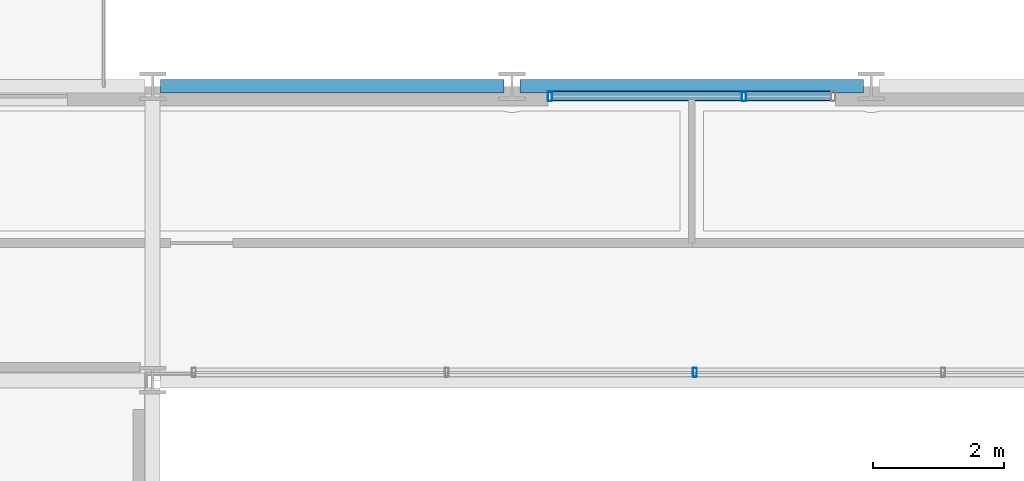
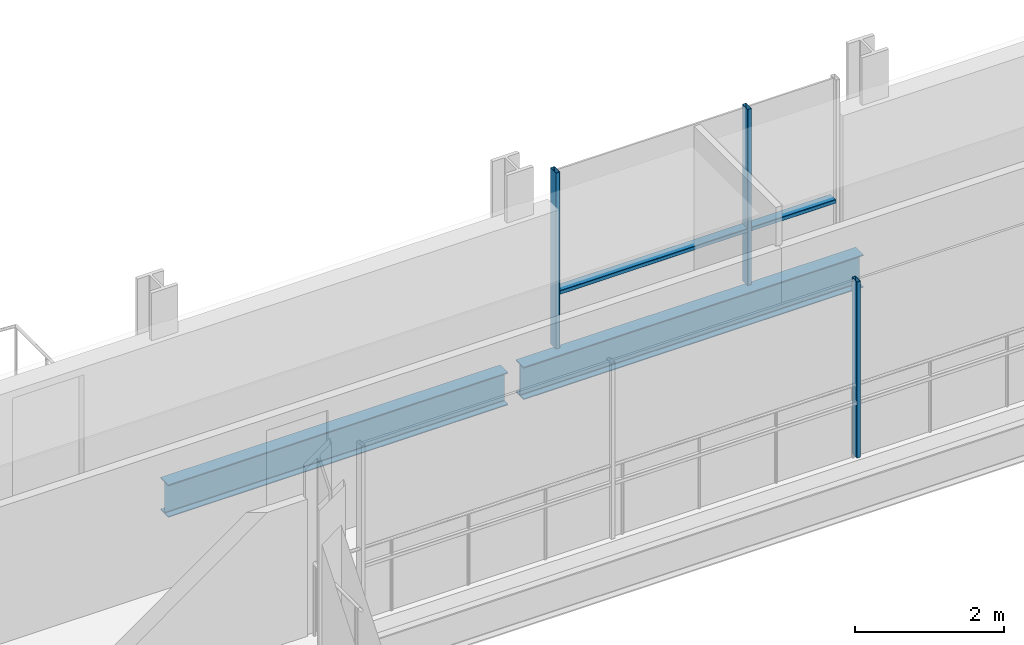
# One storey, part 11 of 39: 5 members, 2 beams, 2 elements without a shape of their own.
"""IFC4 building model written with IfcOpenShell, lengths in metres."""

from ifc_helpers import new_model, si_unit, direction, frame, origin, origin_2d, place, context, subcontext, project, spatial, hollow_rectangle, i_section, extrude, material, layer, layer_set, material_profile, profile_set, type_object, element, aggregate, save


model = new_model("IFC4")

# Units and contexts
model_context = context("Model", 3, precision=1e-05, world=origin(), true_north=direction((0.0, 1.0)))
body_context = subcontext(model_context, "Body", "Model", "MODEL_VIEW")
ifc_project = project(units=[si_unit("LENGTHUNIT", "METRE"), si_unit("AREAUNIT", "SQUARE_METRE"), si_unit("VOLUMEUNIT", "CUBIC_METRE"), si_unit("PLANEANGLEUNIT", "RADIAN"), si_unit("MASSUNIT", "GRAM", prefix="KILO")], contexts=[model_context])

# Site, building, storey
site_placement = place(None, origin())
site = spatial("IfcSite", under=ifc_project, at=site_placement, CompositionType="ELEMENT")
building_placement = place(site_placement, origin())
building = spatial("IfcBuilding", under=site, at=building_placement, Name="Brevholm Reach", CompositionType="ELEMENT")
storey_placement = place(building_placement, frame((0.0, 0.0, 103.5)))
storey = spatial("IfcBuildingStorey", under=building, at=storey_placement, Name="L30", CompositionType="ELEMENT", Elevation=103.5)

# Beams
ifc_material_1 = material(Name="Structural Steel S355J2", Category="steel")
ifc_material_profile_1 = material_profile(ifc_material_1, i_section(OverallWidth=0.209228515625, OverallDepth=0.533203125, WebThickness=0.010009765625, FlangeThickness=0.015625, FilletRadius=0.0126953125, at=origin_2d()), Name="UKB 533x210x92")
ifc_profile_set_1 = profile_set([ifc_material_profile_1], Name="Structural Steel S355J2")
beam_type = type_object("IfcBeamType", Name="BM-SP533", PredefinedType="SPANDREL", material=ifc_profile_set_1)
for number, where, z_axis, x_axis, name in (
    (1, (21.8701171875, 31.0, -0.486572265625), (1.0, 0.0, 0.0), (0.0, 1.0, 0.0), "L30 SP-02 Framing Beam"),
    (2, (27.3701171875, 31.0, -0.486572265625), (1.0, 0.0, 0.0), (0.0, 1.0, 0.0), "L30 SP-02 Framing Beam"),
):
    element("IfcBeam", number, at=place(storey_placement, frame(where, z_axis=z_axis, x_axis=x_axis)), inside=storey, type_object=beam_type, Name=name, PredefinedType="SPANDREL", context=body_context, shape_type="SweptSolid", body=[
        extrude(i_section(OverallWidth=0.209228515625, OverallDepth=0.533203125, WebThickness=0.010009765625, FlangeThickness=0.015625, FilletRadius=0.0126953125, at=origin_2d()), origin(), (0.0, 0.0, 1.0), 5.259765625),
    ])

# Curtain wall, member
ifc_material_2 = material(Name="Dark Anodised Aluminium 6063-T6 and Solar-Control Glass", Category="aluminium")
ifc_layer_1 = layer(ifc_material_2, 0.139892578125)
ifc_layer_set_1 = layer_set([ifc_layer_1], Name="Dark Anodised Aluminium 6063-T6 and Solar-Control Glass")
curtain_wall_type_1 = type_object("IfcCurtainWallType", Name="CW-02", PredefinedType="NOTDEFINED", material=ifc_layer_set_1)
curtain_wall_1_placement = place(storey_placement, origin())
curtain_wall_1 = element("IfcCurtainWall", 3, at=curtain_wall_1_placement, inside=storey, type_object=curtain_wall_type_1, Name="L30 Curtain Wall CW-02", PredefinedType="NOTDEFINED")
ifc_material_3 = material(Name="Dark Anodised Aluminium 6063-T6", Category="aluminium")
ifc_material_profile_2 = material_profile(ifc_material_3, hollow_rectangle(XDim=0.06005859375, YDim=0.139892578125, WallThickness=0.0048828125, InnerFilletRadius=0.0048828125, OuterFilletRadius=0.010009765625, at=origin_2d()), Name="RHS 140x60x5")
ifc_profile_set_2 = profile_set([ifc_material_profile_2], Name="Dark Anodised Aluminium 6063-T6")
member_type_1 = type_object("IfcMemberType", Name="CWM-140", PredefinedType="MULLION", material=ifc_profile_set_2)
member_1_placement = place(storey_placement, frame((30.050048828125, 26.6201171875, 0.0), z_axis=(0.0, 0.0, 1.0), x_axis=(-1.0, 0.0, 0.0)))
member_1 = element("IfcMember", 4, at=member_1_placement, type_object=member_type_1, Name="CM-140 Mullion 3", PredefinedType="MULLION", context=body_context, shape_type="SweptSolid", body=[
    extrude(hollow_rectangle(XDim=0.06005859375, YDim=0.139892578125, WallThickness=0.0048828125, InnerFilletRadius=0.0048828125, OuterFilletRadius=0.010009765625, at=origin_2d()), origin(), (0.0, 0.0, 1.0), 2.8798828125),
])
aggregate(curtain_wall_1, [member_1])

# Curtain wall, members
ifc_material_4 = material(Name="Dark Anodised Aluminium 6063-T6 and Solar-Control Glass", Category="aluminium")
ifc_layer_2 = layer(ifc_material_4, 0.14990234375)
ifc_layer_set_2 = layer_set([ifc_layer_2], Name="Dark Anodised Aluminium 6063-T6 and Solar-Control Glass")
curtain_wall_type_2 = type_object("IfcCurtainWallType", Name="CW-01", PredefinedType="NOTDEFINED", material=ifc_layer_set_2)
curtain_wall_2_placement = place(storey_placement, origin())
curtain_wall_2 = element("IfcCurtainWall", 5, at=curtain_wall_2_placement, inside=storey, type_object=curtain_wall_type_2, Name="L30 Curtain Wall CW-01", PredefinedType="NOTDEFINED")
ifc_material_5 = material(Name="Dark Anodised Aluminium 6063-T6", Category="aluminium")
ifc_material_profile_3 = material_profile(ifc_material_5, hollow_rectangle(XDim=0.06494140625, YDim=0.14990234375, WallThickness=0.0048828125, InnerFilletRadius=0.0048828125, OuterFilletRadius=0.010009765625, at=origin_2d()), Name="RHS 150x65x5")
ifc_profile_set_3 = profile_set([ifc_material_profile_3], Name="Dark Anodised Aluminium 6063-T6")
member_type_2 = type_object("IfcMemberType", Name="CWM-150", PredefinedType="MULLION", material=ifc_profile_set_3)
member_2_placement = place(storey_placement, frame((27.83251953125, 30.85009765625, 0.0), z_axis=(0.0, 0.0, 1.0), x_axis=(1.0, 0.0, 0.0)))
member_2 = element("IfcMember", 6, at=member_2_placement, type_object=member_type_2, Name="CM-150 Mullion 1", PredefinedType="MULLION", context=body_context, shape_type="SweptSolid", body=[
    extrude(hollow_rectangle(XDim=0.06494140625, YDim=0.14990234375, WallThickness=0.0048828125, InnerFilletRadius=0.0048828125, OuterFilletRadius=0.010009765625, at=origin_2d()), origin(), (0.0, 0.0, 1.0), 2.8798828125),
])
member_3_placement = place(storey_placement, frame((30.800048828125, 30.85009765625, 0.0), z_axis=(0.0, 0.0, 1.0), x_axis=(1.0, 0.0, 0.0)))
member_3 = element("IfcMember", 7, at=member_3_placement, type_object=member_type_2, Name="CM-150 Mullion 2", PredefinedType="MULLION", context=body_context, shape_type="SweptSolid", body=[
    extrude(hollow_rectangle(XDim=0.06494140625, YDim=0.14990234375, WallThickness=0.0048828125, InnerFilletRadius=0.0048828125, OuterFilletRadius=0.010009765625, at=origin_2d()), origin(), (0.0, 0.0, 1.0), 2.8798828125),
])
ifc_material_6 = material(Name="Dark Anodised Aluminium 6063-T6", Category="aluminium")
ifc_material_profile_4 = material_profile(ifc_material_6, hollow_rectangle(XDim=0.06494140625, YDim=0.14990234375, WallThickness=0.0048828125, InnerFilletRadius=0.0048828125, OuterFilletRadius=0.010009765625, at=origin_2d()), Name="RHS 150x65x5")
ifc_profile_set_4 = profile_set([ifc_material_profile_4], Name="Dark Anodised Aluminium 6063-T6")
member_type_3 = type_object("IfcMemberType", Name="CWT-150", PredefinedType="NOTDEFINED", material=ifc_profile_set_4)
member_4_placement = place(storey_placement, frame((27.864990234375, 30.85009765625, 0.89990234375), z_axis=(1.0, 0.0, 0.0), x_axis=(0.0, 0.0, 1.0)))
member_4 = element("IfcMember", 8, at=member_4_placement, type_object=member_type_3, Name="CT-150 Transom 1.1", ObjectType="TRANSOM", PredefinedType="USERDEFINED", context=body_context, shape_type="SweptSolid", body=[
    extrude(hollow_rectangle(XDim=0.06494140625, YDim=0.14990234375, WallThickness=0.0048828125, InnerFilletRadius=0.0048828125, OuterFilletRadius=0.010009765625, at=origin_2d()), origin(), (0.0, 0.0, 1.0), 2.902587890625),
])
member_5_placement = place(storey_placement, frame((30.83251953125, 30.85009765625, 0.89990234375), z_axis=(1.0, 0.0, 0.0), x_axis=(0.0, 0.0, 1.0)))
member_5 = element("IfcMember", 9, at=member_5_placement, type_object=member_type_3, Name="CT-150 Transom 2.1", ObjectType="TRANSOM", PredefinedType="USERDEFINED", context=body_context, shape_type="SweptSolid", body=[
    extrude(hollow_rectangle(XDim=0.06494140625, YDim=0.14990234375, WallThickness=0.0048828125, InnerFilletRadius=0.0048828125, OuterFilletRadius=0.010009765625, at=origin_2d()), origin(), (0.0, 0.0, 1.0), 1.302490234375),
])
aggregate(curtain_wall_2, [member_2, member_3, member_4, member_5])

save(model, "model.ifc")
